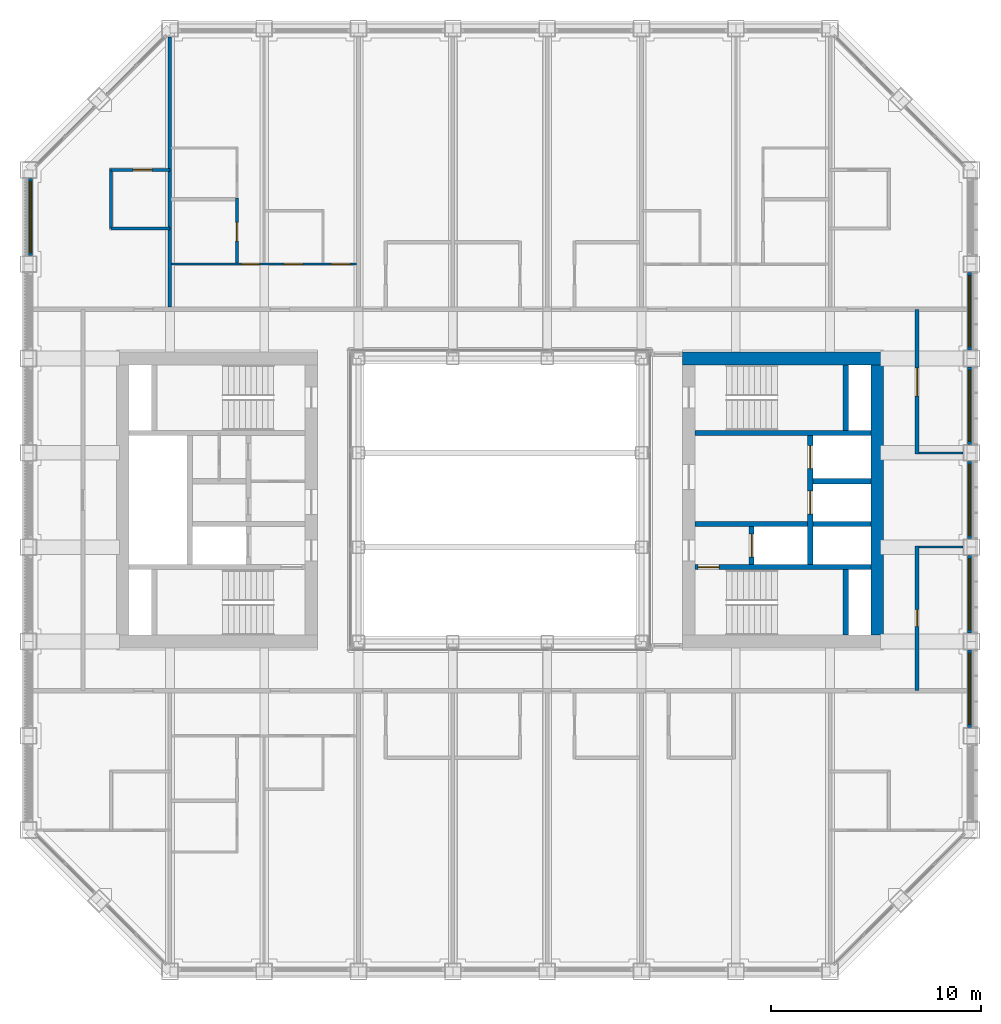
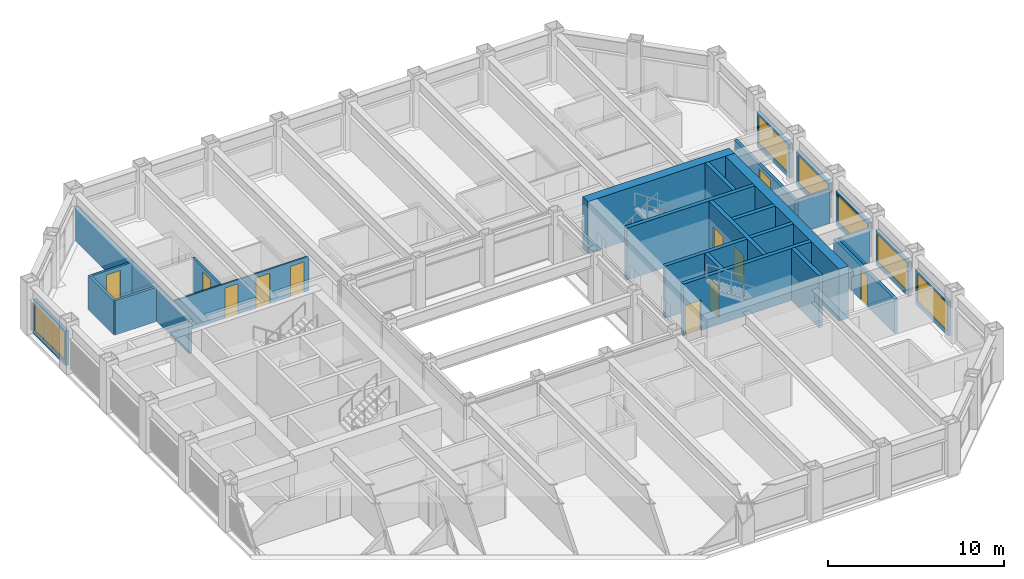
# One storey, part 13 of 18: 27 walls, 11 doors, 6 windows, 17 openings.
"""IFC4 building model written with IfcOpenShell, lengths in metres."""

from ifc_helpers import new_model, si_unit, direction, frame, frame_2d, origin, place, context, subcontext, project, spatial, rectangle, extrude, material, layer, layer_set, type_object, element, fill, save


model = new_model("IFC4")

# Units and contexts
model_context = context("Model", 3, precision=1e-05, world=origin(), true_north=direction((0.0, 1.0)))
body_context = subcontext(model_context, "Body", "Model", "MODEL_VIEW")
ifc_project = project(units=[si_unit("LENGTHUNIT", "METRE"), si_unit("AREAUNIT", "SQUARE_METRE"), si_unit("VOLUMEUNIT", "CUBIC_METRE"), si_unit("PLANEANGLEUNIT", "RADIAN"), si_unit("MASSUNIT", "GRAM", prefix="KILO")], contexts=[model_context])

# Site, building, storey
site_placement = place(None, origin())
site = spatial("IfcSite", under=ifc_project, at=site_placement, CompositionType="ELEMENT")
building_placement = place(site_placement, origin())
building = spatial("IfcBuilding", under=site, at=building_placement, Name="Msasa Ring Tower", CompositionType="ELEMENT")
storey_placement = place(building_placement, frame((0.0, 0.0, 186.800048828125)))
storey = spatial("IfcBuildingStorey", under=building, at=storey_placement, Name="L49", CompositionType="ELEMENT", Elevation=186.800048828125)

# Walls
ifc_material_1 = material(Name="Concrete C60/75", Category="concrete")
ifc_layer_1 = layer(ifc_material_1, 0.60009765625)
ifc_layer_set_1 = layer_set([ifc_layer_1], Name="CW2 CORE WALL 600")
wall_type_1 = type_object("IfcWallType", Name="CW2 CORE WALL 600", PredefinedType="SHEAR", material=ifc_layer_set_1)
wall_1_placement = place(storey_placement, frame((8.699951171875, 6.75, 0.0), z_axis=(0.0, 0.0, 1.0), x_axis=(1.0, 0.0, 0.0)))
element("IfcWall", 1, at=wall_1_placement, inside=storey, type_object=wall_type_1, Name="E core wall N L49", PredefinedType="SHEAR", context=body_context, shape_type="SweptSolid", body=[
    extrude(rectangle(XDim=9.60009765625, YDim=0.60009765625, at=frame_2d((4.800048828125, 0.0))), origin(), (0.0, 0.0, 1.0), 3.599853515625),
])
wall_2_placement = place(storey_placement, frame((18.0, -6.449951171875, 0.0), z_axis=(0.0, 0.0, 1.0), x_axis=(0.0, 1.0, 0.0)))
element("IfcWall", 2, at=wall_2_placement, inside=storey, type_object=wall_type_1, Name="E core wall E L49", PredefinedType="SHEAR", context=body_context, shape_type="SweptSolid", body=[
    extrude(rectangle(XDim=12.89990234375, YDim=0.60009765625, at=frame_2d((6.449951171875, 0.0))), origin(), (0.0, 0.0, 1.0), 3.599853515625),
])

# Wall, opening, door
ifc_material_2 = material(Name="Concrete C60/75", Category="concrete")
ifc_layer_2 = layer(ifc_material_2, 0.25)
ifc_layer_set_2 = layer_set([ifc_layer_2], Name="CW4 CORE INNER WALL 250")
wall_type_2 = type_object("IfcWallType", Name="CW4 CORE INNER WALL 250", PredefinedType="SHEAR", material=ifc_layer_set_2)
wall_3_placement = place(storey_placement, frame((9.300048828125, -3.199951171875, 0.0), z_axis=(0.0, 0.0, 1.0), x_axis=(1.0, 0.0, 0.0)))
wall_3 = element("IfcWall", 3, at=wall_3_placement, inside=storey, type_object=wall_type_2, Name="E core wall STAIRA L49", PredefinedType="SHEAR", context=body_context, shape_type="SweptSolid", body=[
    extrude(rectangle(XDim=8.39990234375, YDim=0.25, at=frame_2d((4.199951171875, 0.0))), origin(), (0.0, 0.0, 1.0), 3.599853515625),
])
opening_1_placement = place(wall_3_placement, frame((0.14990234375, 0.0, 0.0)))
opening_1 = element("IfcOpeningElement", 4, at=opening_1_placement, cuts=wall_3, Name="Opening HG-037", PredefinedType="OPENING", context=body_context, shape_type="SweptSolid", body=[
    extrude(rectangle(XDim=1.0, YDim=2.10009765625, at=frame_2d((0.5, 1.050048828125))), frame((0.0, 0.135009765625, 0.0), z_axis=(0.0, -1.0, 0.0), x_axis=(1.0, 0.0, 0.0)), (0.0, 0.0, 1.0), 0.27001953125),
])
ifc_material_3 = material(Name="Timber door leaf in a steel frame", Category="steel")
door_type_1 = type_object("IfcDoorType", Name="D6 STAIR DOOR 1000x2100", OperationType="SINGLE_SWING_LEFT", PredefinedType="DOOR", material=ifc_material_3)
door_1_placement = place(opening_1_placement, origin())
door_1 = element("IfcDoor", 5, at=door_1_placement, inside=storey, type_object=door_type_1, Name="Door L49-ESTA", OperationType="SINGLE_SWING_LEFT", OverallHeight=2.10009765625, OverallWidth=1.0, PredefinedType="DOOR", context=body_context, shape_type="SweptSolid", body=[
    extrude(rectangle(XDim=1.0, YDim=2.10009765625, at=frame_2d((0.5, 1.050048828125))), frame((0.0, 0.02490234375, 0.0), z_axis=(0.0, -1.0, 0.0), x_axis=(1.0, 0.0, 0.0)), (0.0, 0.0, 1.0), 0.050048828125),
])
fill(opening_1, door_1)

# Walls
wall_4_placement = place(storey_placement, frame((9.300048828125, 3.199951171875, 0.0), z_axis=(0.0, 0.0, 1.0), x_axis=(1.0, 0.0, 0.0)))
element("IfcWall", 6, at=wall_4_placement, inside=storey, type_object=wall_type_2, Name="E core wall STAIRB L49", PredefinedType="SHEAR", context=body_context, shape_type="SweptSolid", body=[
    extrude(rectangle(XDim=8.39990234375, YDim=0.25, at=frame_2d((4.199951171875, 0.0))), origin(), (0.0, 0.0, 1.0), 3.599853515625),
])
for number, where, z_axis, x_axis, name in (
    (7, (16.5, -6.449951171875, 0.0), (0.0, 0.0, 1.0), (0.0, 1.0, 0.0), "E core wall RISERA L49"),
    (8, (16.5, 3.324951171875, 0.0), (0.0, 0.0, 1.0), (0.0, 1.0, 0.0), "E core wall RISERB L49"),
):
    element("IfcWall", number, at=place(storey_placement, frame(where, z_axis=z_axis, x_axis=x_axis)), inside=storey, type_object=wall_type_2, Name=name, PredefinedType="SHEAR", context=body_context, shape_type="SweptSolid", body=[
        extrude(rectangle(XDim=3.125, YDim=0.25, at=frame_2d((1.5625, 0.0))), origin(), (0.0, 0.0, 1.0), 3.599853515625),
    ])
wall_5_placement = place(storey_placement, frame((9.300048828125, -1.14990234375, 0.0), z_axis=(0.0, 0.0, 1.0), x_axis=(1.0, 0.0, 0.0)))
element("IfcWall", 9, at=wall_5_placement, inside=storey, type_object=wall_type_2, Name="E core wall FFL L49", PredefinedType="SHEAR", context=body_context, shape_type="SweptSolid", body=[
    extrude(rectangle(XDim=5.375, YDim=0.25, at=frame_2d((2.6875, 0.0))), origin(), (0.0, 0.0, 1.0), 3.599853515625),
])

# Wall, opening, door
wall_6_placement = place(storey_placement, frame((12.0, -3.074951171875, 0.0), z_axis=(0.0, 0.0, 1.0), x_axis=(0.0, 1.0, 0.0)))
wall_6 = element("IfcWall", 10, at=wall_6_placement, inside=storey, type_object=wall_type_2, Name="E core wall LOBBY L49", PredefinedType="SHEAR", context=body_context, shape_type="SweptSolid", body=[
    extrude(rectangle(XDim=1.800048828125, YDim=0.25, at=frame_2d((0.89990234375, 0.0))), origin(), (0.0, 0.0, 1.0), 3.599853515625),
])
opening_2_placement = place(wall_6_placement, frame((0.35009765625, 0.0, 0.0)))
opening_2 = element("IfcOpeningElement", 11, at=opening_2_placement, cuts=wall_6, Name="Opening LD1", PredefinedType="OPENING", context=body_context, shape_type="SweptSolid", body=[
    extrude(rectangle(XDim=1.10009765625, YDim=2.10009765625, at=frame_2d((0.550048828125, 1.050048828125))), frame((0.0, 0.135009765625, 0.0), z_axis=(0.0, -1.0, 0.0), x_axis=(1.0, 0.0, 0.0)), (0.0, 0.0, 1.0), 0.27001953125),
])
ifc_material_4 = material(Name="Stainless steel lift landing door", Category="steel")
door_type_2 = type_object("IfcDoorType", Name="LD1 LIFT LANDING DOOR 1100x2100", OperationType="DOUBLE_DOOR_SLIDING", PredefinedType="DOOR", material=ifc_material_4)
door_2_placement = place(opening_2_placement, origin())
door_2 = element("IfcDoor", 12, at=door_2_placement, inside=storey, type_object=door_type_2, Name="Lift landing door FL-E L49", OperationType="DOUBLE_DOOR_SLIDING", OverallHeight=2.10009765625, OverallWidth=1.10009765625, PredefinedType="DOOR", context=body_context, shape_type="SweptSolid", body=[
    extrude(rectangle(XDim=1.10009765625, YDim=2.10009765625, at=frame_2d((0.550048828125, 1.050048828125))), frame((0.0, 0.02490234375, 0.0), z_axis=(0.0, -1.0, 0.0), x_axis=(1.0, 0.0, 0.0)), (0.0, 0.0, 1.0), 0.050048828125),
])
fill(opening_2, door_2)

# Wall, openings, doors
wall_7_placement = place(storey_placement, frame((14.800048828125, -3.074951171875, 0.0), z_axis=(0.0, 0.0, 1.0), x_axis=(0.0, 1.0, 0.0)))
wall_7 = element("IfcWall", 13, at=wall_7_placement, inside=storey, type_object=wall_type_2, Name="E core wall SHAFT L49", PredefinedType="SHEAR", context=body_context, shape_type="SweptSolid", body=[
    extrude(rectangle(XDim=6.14990234375, YDim=0.25, at=frame_2d((3.074951171875, 0.0))), origin(), (0.0, 0.0, 1.0), 3.599853515625),
])
opening_3_placement = place(wall_7_placement, frame((2.39990234375, 0.0, 0.0)))
opening_3 = element("IfcOpeningElement", 14, at=opening_3_placement, cuts=wall_7, Name="Opening LD1", PredefinedType="OPENING", context=body_context, shape_type="SweptSolid", body=[
    extrude(rectangle(XDim=1.10009765625, YDim=2.10009765625, at=frame_2d((0.550048828125, 1.050048828125))), frame((0.0, 0.135009765625, 0.0), z_axis=(0.0, -1.0, 0.0), x_axis=(1.0, 0.0, 0.0)), (0.0, 0.0, 1.0), 0.27001953125),
])
opening_4_placement = place(wall_7_placement, frame((4.574951171875, 0.0, 0.0)))
opening_4 = element("IfcOpeningElement", 15, at=opening_4_placement, cuts=wall_7, Name="Opening LD1", PredefinedType="OPENING", context=body_context, shape_type="SweptSolid", body=[
    extrude(rectangle(XDim=1.10009765625, YDim=2.10009765625, at=frame_2d((0.550048828125, 1.050048828125))), frame((0.0, 0.135009765625, 0.0), z_axis=(0.0, -1.0, 0.0), x_axis=(1.0, 0.0, 0.0)), (0.0, 0.0, 1.0), 0.27001953125),
])
door_3_placement = place(opening_3_placement, origin())
door_3 = element("IfcDoor", 16, at=door_3_placement, inside=storey, type_object=door_type_2, Name="Lift landing door PL-H1 L49", OperationType="DOUBLE_DOOR_SLIDING", OverallHeight=2.10009765625, OverallWidth=1.10009765625, PredefinedType="DOOR", context=body_context, shape_type="SweptSolid", body=[
    extrude(rectangle(XDim=1.10009765625, YDim=2.10009765625, at=frame_2d((0.550048828125, 1.050048828125))), frame((0.0, 0.02490234375, 0.0), z_axis=(0.0, -1.0, 0.0), x_axis=(1.0, 0.0, 0.0)), (0.0, 0.0, 1.0), 0.050048828125),
])
fill(opening_3, door_3)
door_4_placement = place(opening_4_placement, origin())
door_4 = element("IfcDoor", 17, at=door_4_placement, inside=storey, type_object=door_type_2, Name="Lift landing door PL-H2 L49", OperationType="DOUBLE_DOOR_SLIDING", OverallHeight=2.10009765625, OverallWidth=1.10009765625, PredefinedType="DOOR", context=body_context, shape_type="SweptSolid", body=[
    extrude(rectangle(XDim=1.10009765625, YDim=2.10009765625, at=frame_2d((0.550048828125, 1.050048828125))), frame((0.0, 0.02490234375, 0.0), z_axis=(0.0, -1.0, 0.0), x_axis=(1.0, 0.0, 0.0)), (0.0, 0.0, 1.0), 0.050048828125),
])
fill(opening_4, door_4)

# Walls
for number, where, z_axis, x_axis, name in (
    (18, (14.925048828125, -1.14990234375, 0.0), (0.0, 0.0, 1.0), (1.0, 0.0, 0.0), "E core wall HSEP L49"),
    (19, (14.925048828125, 0.89990234375, 0.0), (0.0, 0.0, 1.0), (1.0, 0.0, 0.0), "E core wall HLIFT L49"),
):
    element("IfcWall", number, at=place(storey_placement, frame(where, z_axis=z_axis, x_axis=x_axis)), inside=storey, type_object=wall_type_2, Name=name, PredefinedType="SHEAR", context=body_context, shape_type="SweptSolid", body=[
        extrude(rectangle(XDim=2.77490234375, YDim=0.25, at=frame_2d((1.387451171875, 0.0))), origin(), (0.0, 0.0, 1.0), 3.599853515625),
    ])

# Wall, opening, window
ifc_material_5 = material(Name="Terracotta rainscreen on blockwork", Category="masonry")
ifc_layer_3 = layer(ifc_material_5, 0.199951171875)
ifc_layer_set_3 = layer_set([ifc_layer_3], Name="FW1 TERRACOTTA-LINED INFILL BAY WALL 200")
wall_type_3 = type_object("IfcWallType", Name="FW1 TERRACOTTA-LINED INFILL BAY WALL 200", PredefinedType="SOLIDWALL", material=ifc_layer_set_3)
wall_8_placement = place(storey_placement, frame((22.39990234375, -10.844970703125, 0.0), z_axis=(0.0, 0.0, 1.0), x_axis=(0.0, 1.0, 0.0)))
wall_8 = element("IfcWall", 20, at=wall_8_placement, inside=storey, type_object=wall_type_3, Name="Infill bay wall E L49 10", PredefinedType="SOLIDWALL", context=body_context, shape_type="SweptSolid", body=[
    extrude(rectangle(XDim=3.68994140625, YDim=0.199951171875, at=frame_2d((1.844970703125, 0.0))), origin(), (0.0, 0.0, 1.0), 2.37890625),
])
opening_5_placement = place(wall_8_placement, frame((0.14501953125, 0.0, 0.300048828125)))
opening_5 = element("IfcOpeningElement", 21, at=opening_5_placement, cuts=wall_8, Name="Opening WN7", PredefinedType="OPENING", context=body_context, shape_type="SweptSolid", body=[
    extrude(rectangle(XDim=3.39990234375, YDim=1.928955078125, at=frame_2d((1.699951171875, 0.96435546875))), frame((0.0, 0.10986328125, 0.0), z_axis=(0.0, -1.0, 0.0), x_axis=(1.0, 0.0, 0.0)), (0.0, 0.0, 1.0), 0.219970703125),
])
ifc_material_6 = material(Name="Aluminium frame with clear glass", Category="aluminium")
window_type = type_object("IfcWindowType", Name="WN7 GUEST ROOM WINDOW 3400x1929", PartitioningType="SINGLE_PANEL", PredefinedType="WINDOW", material=ifc_material_6)
window_1_placement = place(opening_5_placement, origin())
window_1 = element("IfcWindow", 22, at=window_1_placement, inside=storey, type_object=window_type, Name="Window E L49 10", OverallHeight=1.928955078125, OverallWidth=3.39990234375, PartitioningType="SINGLE_PANEL", PredefinedType="WINDOW", context=body_context, shape_type="SweptSolid", body=[
    extrude(rectangle(XDim=3.39990234375, YDim=1.928955078125, at=frame_2d((1.699951171875, 0.96435546875))), frame((0.0, 0.030029296875, 0.0), z_axis=(0.0, -1.0, 0.0), x_axis=(1.0, 0.0, 0.0)), (0.0, 0.0, 1.0), 0.06005859375),
])
fill(opening_5, window_1)

wall_9_placement = place(storey_placement, frame((22.39990234375, -6.344970703125, 0.0), z_axis=(0.0, 0.0, 1.0), x_axis=(0.0, 1.0, 0.0)))
wall_9 = element("IfcWall", 23, at=wall_9_placement, inside=storey, type_object=wall_type_3, Name="Infill bay wall E L49 11", PredefinedType="SOLIDWALL", context=body_context, shape_type="SweptSolid", body=[
    extrude(rectangle(XDim=3.68994140625, YDim=0.199951171875, at=frame_2d((1.844970703125, 0.0))), origin(), (0.0, 0.0, 1.0), 2.37890625),
])
opening_6_placement = place(wall_9_placement, frame((0.14501953125, 0.0, 0.300048828125)))
opening_6 = element("IfcOpeningElement", 24, at=opening_6_placement, cuts=wall_9, Name="Opening WN7", PredefinedType="OPENING", context=body_context, shape_type="SweptSolid", body=[
    extrude(rectangle(XDim=3.39990234375, YDim=1.928955078125, at=frame_2d((1.699951171875, 0.96435546875))), frame((0.0, 0.10986328125, 0.0), z_axis=(0.0, -1.0, 0.0), x_axis=(1.0, 0.0, 0.0)), (0.0, 0.0, 1.0), 0.219970703125),
])
window_2_placement = place(opening_6_placement, origin())
window_2 = element("IfcWindow", 25, at=window_2_placement, inside=storey, type_object=window_type, Name="Window E L49 11", OverallHeight=1.928955078125, OverallWidth=3.39990234375, PartitioningType="SINGLE_PANEL", PredefinedType="WINDOW", context=body_context, shape_type="SweptSolid", body=[
    extrude(rectangle(XDim=3.39990234375, YDim=1.928955078125, at=frame_2d((1.699951171875, 0.96435546875))), frame((0.0, 0.030029296875, 0.0), z_axis=(0.0, -1.0, 0.0), x_axis=(1.0, 0.0, 0.0)), (0.0, 0.0, 1.0), 0.06005859375),
])
fill(opening_6, window_2)

wall_10_placement = place(storey_placement, frame((22.39990234375, -1.844970703125, 0.0), z_axis=(0.0, 0.0, 1.0), x_axis=(0.0, 1.0, 0.0)))
wall_10 = element("IfcWall", 26, at=wall_10_placement, inside=storey, type_object=wall_type_3, Name="Infill bay wall E L49 12", PredefinedType="SOLIDWALL", context=body_context, shape_type="SweptSolid", body=[
    extrude(rectangle(XDim=3.68994140625, YDim=0.199951171875, at=frame_2d((1.844970703125, 0.0))), origin(), (0.0, 0.0, 1.0), 2.37890625),
])
opening_7_placement = place(wall_10_placement, frame((0.14501953125, 0.0, 0.300048828125)))
opening_7 = element("IfcOpeningElement", 27, at=opening_7_placement, cuts=wall_10, Name="Opening WN7", PredefinedType="OPENING", context=body_context, shape_type="SweptSolid", body=[
    extrude(rectangle(XDim=3.39990234375, YDim=1.928955078125, at=frame_2d((1.699951171875, 0.96435546875))), frame((0.0, 0.10986328125, 0.0), z_axis=(0.0, -1.0, 0.0), x_axis=(1.0, 0.0, 0.0)), (0.0, 0.0, 1.0), 0.219970703125),
])
window_3_placement = place(opening_7_placement, origin())
window_3 = element("IfcWindow", 28, at=window_3_placement, inside=storey, type_object=window_type, Name="Window E L49 12", OverallHeight=1.928955078125, OverallWidth=3.39990234375, PartitioningType="SINGLE_PANEL", PredefinedType="WINDOW", context=body_context, shape_type="SweptSolid", body=[
    extrude(rectangle(XDim=3.39990234375, YDim=1.928955078125, at=frame_2d((1.699951171875, 0.96435546875))), frame((0.0, 0.030029296875, 0.0), z_axis=(0.0, -1.0, 0.0), x_axis=(1.0, 0.0, 0.0)), (0.0, 0.0, 1.0), 0.06005859375),
])
fill(opening_7, window_3)

wall_11_placement = place(storey_placement, frame((22.39990234375, 2.655029296875, 0.0), z_axis=(0.0, 0.0, 1.0), x_axis=(0.0, 1.0, 0.0)))
wall_11 = element("IfcWall", 29, at=wall_11_placement, inside=storey, type_object=wall_type_3, Name="Infill bay wall E L49 13", PredefinedType="SOLIDWALL", context=body_context, shape_type="SweptSolid", body=[
    extrude(rectangle(XDim=3.68994140625, YDim=0.199951171875, at=frame_2d((1.844970703125, 0.0))), origin(), (0.0, 0.0, 1.0), 2.37890625),
])
opening_8_placement = place(wall_11_placement, frame((0.14501953125, 0.0, 0.300048828125)))
opening_8 = element("IfcOpeningElement", 30, at=opening_8_placement, cuts=wall_11, Name="Opening WN7", PredefinedType="OPENING", context=body_context, shape_type="SweptSolid", body=[
    extrude(rectangle(XDim=3.39990234375, YDim=1.928955078125, at=frame_2d((1.699951171875, 0.96435546875))), frame((0.0, 0.10986328125, 0.0), z_axis=(0.0, -1.0, 0.0), x_axis=(1.0, 0.0, 0.0)), (0.0, 0.0, 1.0), 0.219970703125),
])
window_4_placement = place(opening_8_placement, origin())
window_4 = element("IfcWindow", 31, at=window_4_placement, inside=storey, type_object=window_type, Name="Window E L49 13", OverallHeight=1.928955078125, OverallWidth=3.39990234375, PartitioningType="SINGLE_PANEL", PredefinedType="WINDOW", context=body_context, shape_type="SweptSolid", body=[
    extrude(rectangle(XDim=3.39990234375, YDim=1.928955078125, at=frame_2d((1.699951171875, 0.96435546875))), frame((0.0, 0.030029296875, 0.0), z_axis=(0.0, -1.0, 0.0), x_axis=(1.0, 0.0, 0.0)), (0.0, 0.0, 1.0), 0.06005859375),
])
fill(opening_8, window_4)

wall_12_placement = place(storey_placement, frame((22.39990234375, 7.155029296875, 0.0), z_axis=(0.0, 0.0, 1.0), x_axis=(0.0, 1.0, 0.0)))
wall_12 = element("IfcWall", 32, at=wall_12_placement, inside=storey, type_object=wall_type_3, Name="Infill bay wall E L49 14", PredefinedType="SOLIDWALL", context=body_context, shape_type="SweptSolid", body=[
    extrude(rectangle(XDim=3.68994140625, YDim=0.199951171875, at=frame_2d((1.844970703125, 0.0))), origin(), (0.0, 0.0, 1.0), 2.37890625),
])
opening_9_placement = place(wall_12_placement, frame((0.14501953125, 0.0, 0.300048828125)))
opening_9 = element("IfcOpeningElement", 33, at=opening_9_placement, cuts=wall_12, Name="Opening WN7", PredefinedType="OPENING", context=body_context, shape_type="SweptSolid", body=[
    extrude(rectangle(XDim=3.39990234375, YDim=1.928955078125, at=frame_2d((1.699951171875, 0.96435546875))), frame((0.0, 0.10986328125, 0.0), z_axis=(0.0, -1.0, 0.0), x_axis=(1.0, 0.0, 0.0)), (0.0, 0.0, 1.0), 0.219970703125),
])
window_5_placement = place(opening_9_placement, origin())
window_5 = element("IfcWindow", 34, at=window_5_placement, inside=storey, type_object=window_type, Name="Window E L49 14", OverallHeight=1.928955078125, OverallWidth=3.39990234375, PartitioningType="SINGLE_PANEL", PredefinedType="WINDOW", context=body_context, shape_type="SweptSolid", body=[
    extrude(rectangle(XDim=3.39990234375, YDim=1.928955078125, at=frame_2d((1.699951171875, 0.96435546875))), frame((0.0, 0.030029296875, 0.0), z_axis=(0.0, -1.0, 0.0), x_axis=(1.0, 0.0, 0.0)), (0.0, 0.0, 1.0), 0.06005859375),
])
fill(opening_9, window_5)

wall_13_placement = place(storey_placement, frame((-22.39990234375, 11.655029296875, 0.0), z_axis=(0.0, 0.0, 1.0), x_axis=(0.0, 1.0, 0.0)))
wall_13 = element("IfcWall", 35, at=wall_13_placement, inside=storey, type_object=wall_type_3, Name="Infill bay wall W L49 33", PredefinedType="SOLIDWALL", context=body_context, shape_type="SweptSolid", body=[
    extrude(rectangle(XDim=3.68994140625, YDim=0.199951171875, at=frame_2d((1.844970703125, 0.0))), origin(), (0.0, 0.0, 1.0), 2.37890625),
])
opening_10_placement = place(wall_13_placement, frame((0.14501953125, 0.0, 0.300048828125)))
opening_10 = element("IfcOpeningElement", 36, at=opening_10_placement, cuts=wall_13, Name="Opening WN7", PredefinedType="OPENING", context=body_context, shape_type="SweptSolid", body=[
    extrude(rectangle(XDim=3.39990234375, YDim=1.928955078125, at=frame_2d((1.699951171875, 0.96435546875))), frame((0.0, 0.10986328125, 0.0), z_axis=(0.0, -1.0, 0.0), x_axis=(1.0, 0.0, 0.0)), (0.0, 0.0, 1.0), 0.219970703125),
])
window_6_placement = place(opening_10_placement, origin())
window_6 = element("IfcWindow", 37, at=window_6_placement, inside=storey, type_object=window_type, Name="Window W L49 33", OverallHeight=1.928955078125, OverallWidth=3.39990234375, PartitioningType="SINGLE_PANEL", PredefinedType="WINDOW", context=body_context, shape_type="SweptSolid", body=[
    extrude(rectangle(XDim=3.39990234375, YDim=1.928955078125, at=frame_2d((1.699951171875, 0.96435546875))), frame((0.0, 0.030029296875, 0.0), z_axis=(0.0, -1.0, 0.0), x_axis=(1.0, 0.0, 0.0)), (0.0, 0.0, 1.0), 0.06005859375),
])
fill(opening_10, window_6)

# Wall, opening, door
ifc_material_7 = material(Name="Concrete blockwork", Category="masonry")
ifc_layer_4 = layer(ifc_material_7, 0.199951171875)
ifc_layer_set_4 = layer_set([ifc_layer_4], Name="PT1 CORRIDOR WALL 200")
wall_type_4 = type_object("IfcWallType", Name="PT1 CORRIDOR WALL 200", PredefinedType="PARTITIONING", material=ifc_layer_set_4)
wall_14_placement = place(storey_placement, frame((19.89990234375, -9.10009765625, 0.0), z_axis=(0.0, 0.0, 1.0), x_axis=(0.0, 1.0, 0.0)))
wall_14 = element("IfcWall", 38, at=wall_14_placement, inside=storey, type_object=wall_type_4, Name="Corridor wall L49-STRES", PredefinedType="PARTITIONING", context=body_context, shape_type="SweptSolid", body=[
    extrude(rectangle(XDim=6.900146484375, YDim=0.199951171875, at=frame_2d((3.4501953125, 0.0))), origin(), (0.0, 0.0, 1.0), 2.37890625),
])
opening_11_placement = place(wall_14_placement, frame((3.074951171875, 0.0, 0.0)))
opening_11 = element("IfcOpeningElement", 39, at=opening_11_placement, cuts=wall_14, Name="Opening HG-038", PredefinedType="OPENING", context=body_context, shape_type="SweptSolid", body=[
    extrude(rectangle(XDim=0.800048828125, YDim=2.10009765625, at=frame_2d((0.39990234375, 1.050048828125))), frame((0.0, 0.10986328125, 0.0), z_axis=(0.0, -1.0, 0.0), x_axis=(1.0, 0.0, 0.0)), (0.0, 0.0, 1.0), 0.219970703125),
])
ifc_material_8 = material(Name="Timber door leaf in a steel frame", Category="steel")
door_type_3 = type_object("IfcDoorType", Name="D11 NARROW STORE DOOR 800x2100", OperationType="SINGLE_SWING_LEFT", PredefinedType="DOOR", material=ifc_material_8)
door_5_placement = place(opening_11_placement, origin())
door_5 = element("IfcDoor", 40, at=door_5_placement, inside=storey, type_object=door_type_3, Name="Door L49-CLE", OperationType="SINGLE_SWING_LEFT", OverallHeight=2.10009765625, OverallWidth=0.800048828125, PredefinedType="DOOR", context=body_context, shape_type="SweptSolid", body=[
    extrude(rectangle(XDim=0.800048828125, YDim=2.10009765625, at=frame_2d((0.39990234375, 1.050048828125))), frame((0.0, 0.02490234375, 0.0), z_axis=(0.0, -1.0, 0.0), x_axis=(1.0, 0.0, 0.0)), (0.0, 0.0, 1.0), 0.050048828125),
])
fill(opening_11, door_5)

wall_15_placement = place(storey_placement, frame((19.89990234375, 2.199951171875, 0.0), z_axis=(0.0, 0.0, 1.0), x_axis=(0.0, 1.0, 0.0)))
wall_15 = element("IfcWall", 41, at=wall_15_placement, inside=storey, type_object=wall_type_4, Name="Corridor wall L49-STREN", PredefinedType="PARTITIONING", context=body_context, shape_type="SweptSolid", body=[
    extrude(rectangle(XDim=6.900146484375, YDim=0.199951171875, at=frame_2d((3.4501953125, 0.0))), origin(), (0.0, 0.0, 1.0), 2.37890625),
])
opening_12_placement = place(wall_15_placement, frame((2.75, 0.0, 0.0)))
opening_12 = element("IfcOpeningElement", 42, at=opening_12_placement, cuts=wall_15, Name="Opening HG-024", PredefinedType="OPENING", context=body_context, shape_type="SweptSolid", body=[
    extrude(rectangle(XDim=1.35009765625, YDim=2.10009765625, at=frame_2d((0.675048828125, 1.050048828125))), frame((0.0, 0.10986328125, 0.0), z_axis=(0.0, -1.0, 0.0), x_axis=(1.0, 0.0, 0.0)), (0.0, 0.0, 1.0), 0.219970703125),
])
ifc_material_9 = material(Name="Timber door leaf in a steel frame", Category="steel")
door_type_4 = type_object("IfcDoorType", Name="D23 HOUSEKEEPING UNEQUAL PAIR OF DOORS 1350x2100", OperationType="SINGLE_SWING_LEFT", PredefinedType="DOOR", material=ifc_material_9)
door_6_placement = place(opening_12_placement, origin())
door_6 = element("IfcDoor", 43, at=door_6_placement, inside=storey, type_object=door_type_4, Name="Door L49-HKE", OperationType="SINGLE_SWING_LEFT", OverallHeight=2.10009765625, OverallWidth=1.35009765625, PredefinedType="DOOR", context=body_context, shape_type="SweptSolid", body=[
    extrude(rectangle(XDim=1.35009765625, YDim=2.10009765625, at=frame_2d((0.675048828125, 1.050048828125))), frame((0.0, 0.02490234375, 0.0), z_axis=(0.0, -1.0, 0.0), x_axis=(1.0, 0.0, 0.0)), (0.0, 0.0, 1.0), 0.050048828125),
])
fill(opening_12, door_6)

# Wall, openings, doors
ifc_material_10 = material(Name="Gypsum board on steel studs", Category="steel")
ifc_layer_5 = layer(ifc_material_10, 0.10009765625)
ifc_layer_set_5 = layer_set([ifc_layer_5], Name="PT2 STUD PARTITION 100")
wall_type_5 = type_object("IfcWallType", Name="PT2 STUD PARTITION 100", PredefinedType="PARTITIONING", material=ifc_layer_set_5)
wall_16_placement = place(storey_placement, frame((-15.66259765625, 11.25, 0.0), z_axis=(0.0, 0.0, 1.0), x_axis=(1.0, 0.0, 0.0)))
wall_16 = element("IfcWall", 44, at=wall_16_placement, inside=storey, type_object=wall_type_5, Name="Partition L49-GN00HY", PredefinedType="PARTITIONING", context=body_context, shape_type="SweptSolid", body=[
    extrude(rectangle(XDim=8.8251953125, YDim=0.10009765625, at=frame_2d((4.41259765625, 0.0))), origin(), (0.0, 0.0, 1.0), 2.37890625),
])
opening_13_placement = place(wall_16_placement, frame((5.362548828125, 0.0, 0.0)))
opening_13 = element("IfcOpeningElement", 45, at=opening_13_placement, cuts=wall_16, Name="Opening HG-008", PredefinedType="OPENING", context=body_context, shape_type="SweptSolid", body=[
    extrude(rectangle(XDim=0.89990234375, YDim=2.10009765625, at=frame_2d((0.449951171875, 1.050048828125))), frame((0.0, 0.06005859375, 0.0), z_axis=(0.0, -1.0, 0.0), x_axis=(1.0, 0.0, 0.0)), (0.0, 0.0, 1.0), 0.1201171875),
])
opening_14_placement = place(wall_16_placement, frame((7.612548828125, 0.0, 0.0)))
opening_14 = element("IfcOpeningElement", 46, at=opening_14_placement, cuts=wall_16, Name="Opening HG-009", PredefinedType="OPENING", context=body_context, shape_type="SweptSolid", body=[
    extrude(rectangle(XDim=0.89990234375, YDim=2.10009765625, at=frame_2d((0.449951171875, 1.050048828125))), frame((0.0, 0.06005859375, 0.0), z_axis=(0.0, -1.0, 0.0), x_axis=(1.0, 0.0, 0.0)), (0.0, 0.0, 1.0), 0.1201171875),
])
opening_15_placement = place(wall_16_placement, frame((3.33740234375, 0.0, 0.0)))
opening_15 = element("IfcOpeningElement", 47, at=opening_15_placement, cuts=wall_16, Name="Opening HG-007", PredefinedType="OPENING", context=body_context, shape_type="SweptSolid", body=[
    extrude(rectangle(XDim=0.85009765625, YDim=2.10009765625, at=frame_2d((0.425048828125, 1.050048828125))), frame((0.0, 0.06005859375, 0.0), z_axis=(0.0, -1.0, 0.0), x_axis=(1.0, 0.0, 0.0)), (0.0, 0.0, 1.0), 0.1201171875),
])
ifc_material_11 = material(Name="Timber door leaf in a steel frame", Category="steel")
door_type_5 = type_object("IfcDoorType", Name="D14 BEDROOM DOOR 850x2100", OperationType="SINGLE_SWING_LEFT", PredefinedType="DOOR", material=ifc_material_11)
door_7_placement = place(opening_15_placement, origin())
door_7 = element("IfcDoor", 48, at=door_7_placement, inside=storey, type_object=door_type_5, Name="Door L49-GN00R1", OperationType="SINGLE_SWING_LEFT", OverallHeight=2.10009765625, OverallWidth=0.85009765625, PredefinedType="DOOR", context=body_context, shape_type="SweptSolid", body=[
    extrude(rectangle(XDim=0.85009765625, YDim=2.10009765625, at=frame_2d((0.425048828125, 1.050048828125))), frame((0.0, 0.02490234375, 0.0), z_axis=(0.0, -1.0, 0.0), x_axis=(1.0, 0.0, 0.0)), (0.0, 0.0, 1.0), 0.050048828125),
])
fill(opening_15, door_7)
ifc_material_12 = material(Name="Timber door leaf in a steel frame", Category="steel")
door_type_6 = type_object("IfcDoorType", Name="D22 INTERNAL HALL DOOR 900x2100", OperationType="SINGLE_SWING_LEFT", PredefinedType="DOOR", material=ifc_material_12)
door_8_placement = place(opening_13_placement, origin())
door_8 = element("IfcDoor", 49, at=door_8_placement, inside=storey, type_object=door_type_6, Name="Door L49-GN00K", OperationType="SINGLE_SWING_RIGHT", OverallHeight=2.10009765625, OverallWidth=0.89990234375, PredefinedType="DOOR", context=body_context, shape_type="SweptSolid", body=[
    extrude(rectangle(XDim=0.89990234375, YDim=2.10009765625, at=frame_2d((0.449951171875, 1.050048828125))), frame((0.0, 0.02490234375, 0.0), z_axis=(0.0, -1.0, 0.0), x_axis=(1.0, 0.0, 0.0)), (0.0, 0.0, 1.0), 0.050048828125),
])
fill(opening_13, door_8)
door_9_placement = place(opening_14_placement, origin())
door_9 = element("IfcDoor", 50, at=door_9_placement, inside=storey, type_object=door_type_6, Name="Door L49-GN00L", OperationType="SINGLE_SWING_RIGHT", OverallHeight=2.10009765625, OverallWidth=0.89990234375, PredefinedType="DOOR", context=body_context, shape_type="SweptSolid", body=[
    extrude(rectangle(XDim=0.89990234375, YDim=2.10009765625, at=frame_2d((0.449951171875, 1.050048828125))), frame((0.0, 0.02490234375, 0.0), z_axis=(0.0, -1.0, 0.0), x_axis=(1.0, 0.0, 0.0)), (0.0, 0.0, 1.0), 0.050048828125),
])
fill(opening_14, door_9)

# Walls
for number, where, z_axis, x_axis, name in (
    (51, (20.0, 2.25, 0.0), (0.0, 0.0, 1.0), (1.0, 0.0, 0.0), "Partition L49-ALEN"),
    (52, (20.0, -2.25, 0.0), (0.0, 0.0, 1.0), (1.0, 0.0, 0.0), "Partition L49-ALES"),
):
    element("IfcWall", number, at=place(storey_placement, frame(where, z_axis=z_axis, x_axis=x_axis)), inside=storey, type_object=wall_type_5, Name=name, PredefinedType="PARTITIONING", context=body_context, shape_type="SweptSolid", body=[
        extrude(rectangle(XDim=2.10009765625, YDim=0.10009765625, at=frame_2d((1.050048828125, 0.0))), origin(), (0.0, 0.0, 1.0), 2.37890625),
    ])

# Wall, opening, door
ifc_material_13 = material(Name="Moisture-resistant board on steel studs with a concealed cistern and pipe void, tiled", Category="steel")
ifc_layer_6 = layer(ifc_material_13, 0.14990234375)
ifc_layer_set_6 = layer_set([ifc_layer_6], Name="PT4 BATHROOM WET WALL 150")
wall_type_6 = type_object("IfcWallType", Name="PT4 BATHROOM WET WALL 150", PredefinedType="PARTITIONING", material=ifc_layer_set_6)
wall_17_placement = place(storey_placement, frame((-12.550048828125, 11.300048828125, 0.0), z_axis=(0.0, 0.0, 1.0), x_axis=(0.0, 1.0, 0.0)))
wall_17 = element("IfcWall", 53, at=wall_17_placement, inside=storey, type_object=wall_type_6, Name="Partition L49-GN00BX1", PredefinedType="PARTITIONING", context=body_context, shape_type="SweptSolid", body=[
    extrude(rectangle(XDim=3.099853515625, YDim=0.14990234375, at=frame_2d((1.5498046875, 0.0))), origin(), (0.0, 0.0, 1.0), 2.37890625),
])
opening_16_placement = place(wall_17_placement, frame((1.050048828125, 0.0, 0.0)))
opening_16 = element("IfcOpeningElement", 54, at=opening_16_placement, cuts=wall_17, Name="Opening HG-005", PredefinedType="OPENING", context=body_context, shape_type="SweptSolid", body=[
    extrude(rectangle(XDim=0.89990234375, YDim=2.10009765625, at=frame_2d((0.449951171875, 1.050048828125))), frame((0.0, 0.0849609375, 0.0), z_axis=(0.0, -1.0, 0.0), x_axis=(1.0, 0.0, 0.0)), (0.0, 0.0, 1.0), 0.169921875),
])
ifc_material_14 = material(Name="Timber door leaf in a steel frame", Category="steel")
door_type_7 = type_object("IfcDoorType", Name="D3 BATHROOM DOOR 900x2100", OperationType="SINGLE_SWING_LEFT", PredefinedType="DOOR", material=ifc_material_14)
door_10_placement = place(opening_16_placement, origin())
door_10 = element("IfcDoor", 55, at=door_10_placement, inside=storey, type_object=door_type_7, Name="Door L49-GN00B1", OperationType="SINGLE_SWING_LEFT", OverallHeight=2.10009765625, OverallWidth=0.89990234375, PredefinedType="DOOR", context=body_context, shape_type="SweptSolid", body=[
    extrude(rectangle(XDim=0.89990234375, YDim=2.10009765625, at=frame_2d((0.449951171875, 1.050048828125))), frame((0.0, 0.02490234375, 0.0), z_axis=(0.0, -1.0, 0.0), x_axis=(1.0, 0.0, 0.0)), (0.0, 0.0, 1.0), 0.050048828125),
])
fill(opening_16, door_10)

# Walls
wall_18_placement = place(storey_placement, frame((-18.550048828125, 12.949951171875, 0.0), z_axis=(0.0, 0.0, 1.0), x_axis=(0.0, 1.0, 0.0)))
element("IfcWall", 56, at=wall_18_placement, inside=storey, type_object=wall_type_6, Name="Partition L49-CSNWBX", PredefinedType="PARTITIONING", context=body_context, shape_type="SweptSolid", body=[
    extrude(rectangle(XDim=2.875, YDim=0.14990234375, at=frame_2d((1.4375, 0.0))), origin(), (0.0, 0.0, 1.0), 2.37890625),
])
wall_19_placement = place(storey_placement, frame((-18.550048828125, 12.949951171875, 0.0), z_axis=(0.0, 0.0, 1.0), x_axis=(1.0, 0.0, 0.0)))
element("IfcWall", 57, at=wall_19_placement, inside=storey, type_object=wall_type_6, Name="Partition L49-CSNWBY", PredefinedType="PARTITIONING", context=body_context, shape_type="SweptSolid", body=[
    extrude(rectangle(XDim=2.800048828125, YDim=0.14990234375, at=frame_2d((1.39990234375, 0.0))), origin(), (0.0, 0.0, 1.0), 2.37890625),
])

# Wall, opening, door
wall_20_placement = place(storey_placement, frame((-18.550048828125, 15.75, 0.0), z_axis=(0.0, 0.0, 1.0), x_axis=(1.0, 0.0, 0.0)))
wall_20 = element("IfcWall", 58, at=wall_20_placement, inside=storey, type_object=wall_type_6, Name="Partition L49-CSNWBZ", PredefinedType="PARTITIONING", context=body_context, shape_type="SweptSolid", body=[
    extrude(rectangle(XDim=2.800048828125, YDim=0.14990234375, at=frame_2d((1.39990234375, 0.0))), origin(), (0.0, 0.0, 1.0), 2.37890625),
])
opening_17_placement = place(wall_20_placement, frame((1.050048828125, 0.0, 0.0)))
opening_17 = element("IfcOpeningElement", 59, at=opening_17_placement, cuts=wall_20, Name="Opening HG-001", PredefinedType="OPENING", context=body_context, shape_type="SweptSolid", body=[
    extrude(rectangle(XDim=0.89990234375, YDim=2.10009765625, at=frame_2d((0.449951171875, 1.050048828125))), frame((0.0, 0.0849609375, 0.0), z_axis=(0.0, -1.0, 0.0), x_axis=(1.0, 0.0, 0.0)), (0.0, 0.0, 1.0), 0.169921875),
])
door_11_placement = place(opening_17_placement, origin())
door_11 = element("IfcDoor", 60, at=door_11_placement, inside=storey, type_object=door_type_7, Name="Door L49-CSNWB1", OperationType="SINGLE_SWING_RIGHT", OverallHeight=2.10009765625, OverallWidth=0.89990234375, PredefinedType="DOOR", context=body_context, shape_type="SweptSolid", body=[
    extrude(rectangle(XDim=0.89990234375, YDim=2.10009765625, at=frame_2d((0.449951171875, 1.050048828125))), frame((0.0, 0.02490234375, 0.0), z_axis=(0.0, -1.0, 0.0), x_axis=(1.0, 0.0, 0.0)), (0.0, 0.0, 1.0), 0.050048828125),
])
fill(opening_17, door_11)

# Wall
ifc_material_15 = material(Name="Twin steel studs, two layers of acoustic board each face, mineral wool", Category="steel")
ifc_layer_7 = layer(ifc_material_15, 0.175048828125)
ifc_layer_set_7 = layer_set([ifc_layer_7], Name="PT5 GUEST ROOM SEPARATING WALL 175")
wall_type_7 = type_object("IfcWallType", Name="PT5 GUEST ROOM SEPARATING WALL 175", PredefinedType="PARTITIONING", material=ifc_layer_set_7)
wall_21_placement = place(storey_placement, frame((-15.75, 9.199951171875, 0.0), z_axis=(0.0, 0.0, 1.0), x_axis=(0.0, 1.0, 0.0)))
element("IfcWall", 61, at=wall_21_placement, inside=storey, type_object=wall_type_7, Name="Partition L49-PWN-15.75", PredefinedType="PARTITIONING", context=body_context, shape_type="SweptSolid", body=[
    extrude(rectangle(XDim=12.900146484375, YDim=0.175048828125, at=frame_2d((6.4501953125, 0.0))), origin(), (0.0, 0.0, 1.0), 2.37890625),
])

save(model, "model.ifc")
